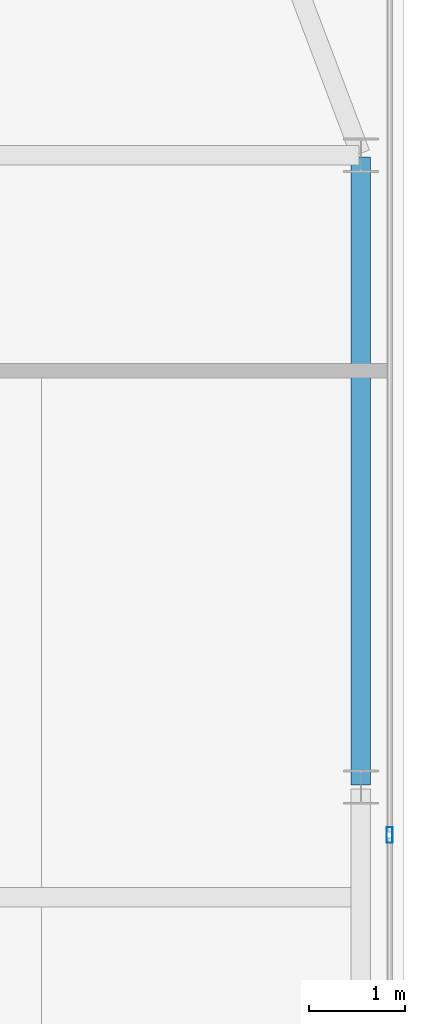
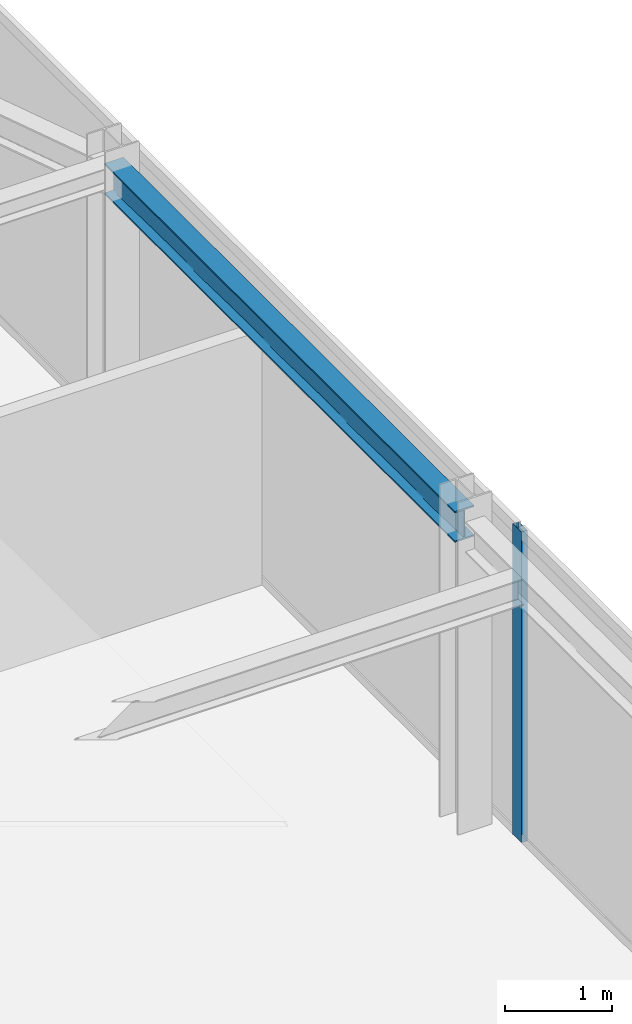
# One storey, part 19 of 30: 1 beam, 1 member, 1 element without a shape of its own.
"""IFC4 building model written with IfcOpenShell, lengths in metres."""

from ifc_helpers import new_model, si_unit, direction, frame, origin, origin_2d, place, context, subcontext, project, spatial, hollow_rectangle, i_section, extrude, source, transform, mapped, material, layer, layer_set, material_profile, profile_set, type_object, type_shapes, element, aggregate, save


model = new_model("IFC4")

# Units and contexts
model_context = context("Model", 3, precision=1e-05, world=origin(), true_north=direction((0.0, 1.0)))
body_context = subcontext(model_context, "Body", "Model", "MODEL_VIEW")
ifc_project = project(units=[si_unit("LENGTHUNIT", "METRE"), si_unit("AREAUNIT", "SQUARE_METRE"), si_unit("VOLUMEUNIT", "CUBIC_METRE"), si_unit("PLANEANGLEUNIT", "RADIAN"), si_unit("MASSUNIT", "GRAM", prefix="KILO")], contexts=[model_context])

# Site, building, storey
site_placement = place(None, origin())
site = spatial("IfcSite", under=ifc_project, at=site_placement, CompositionType="ELEMENT")
building_placement = place(site_placement, origin())
building = spatial("IfcBuilding", under=site, at=building_placement, Name="Varnel Quay Broadcast Tower", CompositionType="ELEMENT")
storey_placement = place(building_placement, frame((0.0, 0.0, 247.0)))
storey = spatial("IfcBuildingStorey", under=building, at=storey_placement, Name="L61", CompositionType="ELEMENT", Elevation=247.0)

# Beam
ifc_material_1 = material(Name="Structural Steel CSA G40.21 350W", Category="steel")
ifc_material_profile_1 = material_profile(ifc_material_1, i_section(OverallWidth=0.205078125, OverallDepth=0.35400390625, WebThickness=0.009521484375, FlangeThickness=0.016845703125, FilletRadius=0.012939453125, at=origin_2d()), Name="W360X79")
ifc_profile_set_1 = profile_set([ifc_material_profile_1], Name="Structural Steel CSA G40.21 350W")
beam_type = type_object("IfcBeamType", Name="Beam_W360X79", PredefinedType="SPANDREL", material=ifc_profile_set_1)
shared_shape_1 = source(origin(), body_context, "Body", "SweptSolid", [
    extrude(i_section(OverallWidth=0.205078125, OverallDepth=0.35400390625, WebThickness=0.009521484375, FlangeThickness=0.016845703125, FilletRadius=0.012939453125, at=origin_2d()), origin(), (0.0, 0.0, 1.0), 6.56005859375),
])
type_shapes(beam_type, [shared_shape_1])
beam_placement = place(storey_placement, frame((58.050048828125, 29.02001953125, 3.373046875), z_axis=(0.0, 1.0, 0.0), x_axis=(-1.0, 0.0, 0.0)))
element("IfcBeam", 1, at=beam_placement, inside=storey, type_object=beam_type, Name="L61 East Spandrel TC-E2-TC-E3", PredefinedType="SPANDREL", context=body_context, shape_type="MappedRepresentation", body=[
    mapped(shared_shape_1, transform((0.0, 0.0, 0.0), x_axis=(1.0, 0.0, 0.0), y_axis=(0.0, 1.0, 0.0), z_axis=(0.0, 0.0, 1.0), scale=1.0)),
])

# Curtain wall, member
ifc_material_2 = material(Name="Anodised Bronze Aluminium 6063-T6", Category="aluminium")
ifc_layer = layer(ifc_material_2, 0.18994140625, Name="Anodised Bronze Aluminium 6063-T6")
ifc_layer_set = layer_set([ifc_layer], Name="Anodised Bronze Aluminium 6063-T6")
curtain_wall_type = type_object("IfcCurtainWallType", Name="CW_UpperTower", PredefinedType="NOTDEFINED", material=ifc_layer_set)
curtain_wall_placement = place(storey_placement, origin())
curtain_wall = element("IfcCurtainWall", 2, at=curtain_wall_placement, inside=storey, type_object=curtain_wall_type, Name="L61 East Unitised Curtain Wall", PredefinedType="NOTDEFINED")
ifc_material_profile_2 = material_profile(ifc_material_2, hollow_rectangle(XDim=0.06494140625, YDim=0.1650390625, WallThickness=0.00341796875, at=origin_2d()), Name="ALU65X165X3.5")
ifc_profile_set_2 = profile_set([ifc_material_profile_2], Name="Anodised Bronze Aluminium 6063-T6")
member_type = type_object("IfcMemberType", Name="Mull_CWS-03", PredefinedType="MULLION", material=ifc_profile_set_2)
shared_shape_2 = source(origin(), body_context, "Body", "SweptSolid", [
    extrude(hollow_rectangle(XDim=0.06494140625, YDim=0.1650390625, WallThickness=0.00341796875, at=origin_2d()), origin(), (0.0, 0.0, 1.0), 3.550048828125),
])
type_shapes(member_type, [shared_shape_2])
member_placement = place(storey_placement, frame((58.35009765625, 28.5, 0.0), z_axis=(0.0, 0.0, 1.0), x_axis=(-1.0, 0.0, 0.0)))
member = element("IfcMember", 3, at=member_placement, type_object=member_type, Name="CWS-03 mullion 2", PredefinedType="MULLION", context=body_context, shape_type="MappedRepresentation", body=[
    mapped(shared_shape_2, transform((0.0, 0.0, 0.0), x_axis=(1.0, 0.0, 0.0), y_axis=(0.0, 1.0, 0.0), z_axis=(0.0, 0.0, 1.0), scale=1.0)),
])
aggregate(curtain_wall, [member])

save(model, "model.ifc")
